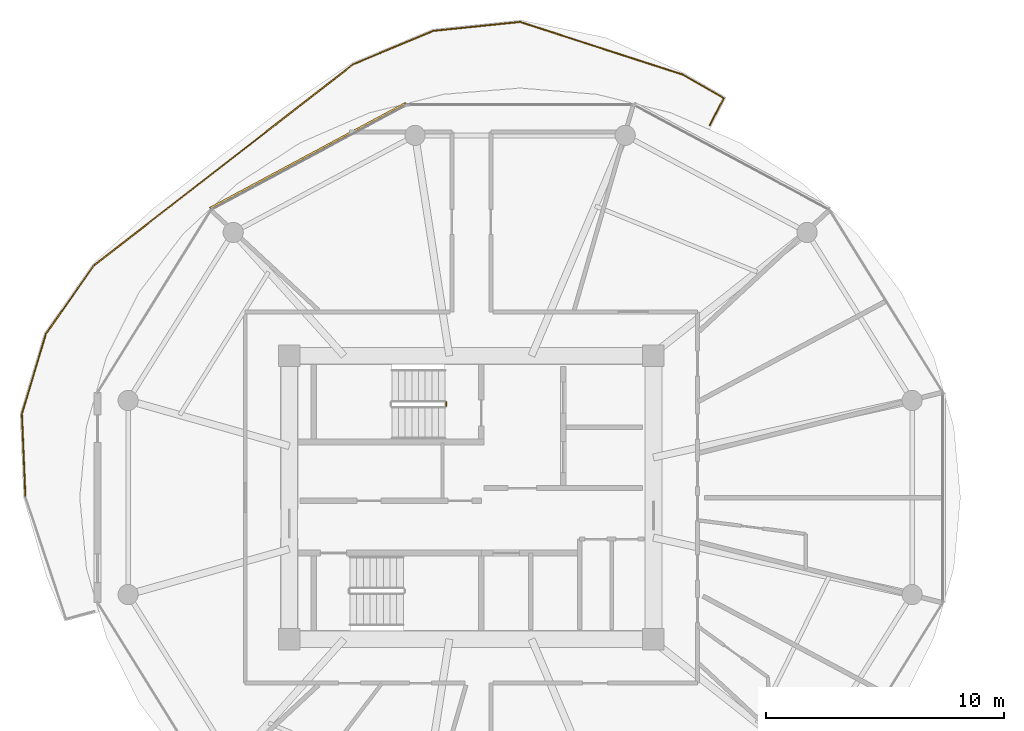
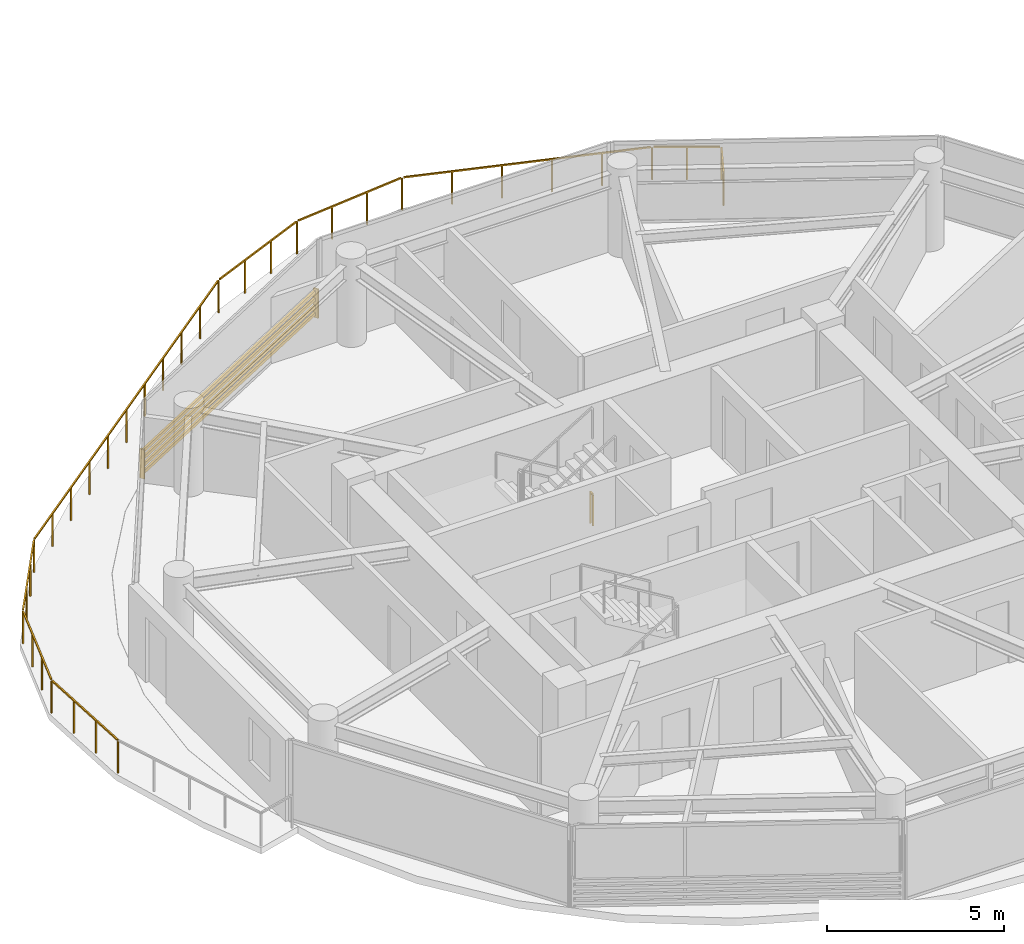
# One storey, part 21 of 24: 2 railings, 1 shading device.
"""IFC4 building model written with IfcOpenShell, lengths in metres."""

from ifc_helpers import new_model, si_unit, direction, frame, origin, origin_2d, place, context, subcontext, project, spatial, rectangle, extrude, source, transform, mapped, material, type_object, type_shapes, element, save


model = new_model("IFC4")

# Units and contexts
model_context = context("Model", 3, precision=1e-05, world=origin(), true_north=direction((0.0, 1.0)))
body_context = subcontext(model_context, "Body", "Model", "MODEL_VIEW")
ifc_project = project(units=[si_unit("LENGTHUNIT", "METRE"), si_unit("AREAUNIT", "SQUARE_METRE"), si_unit("VOLUMEUNIT", "CUBIC_METRE"), si_unit("PLANEANGLEUNIT", "RADIAN"), si_unit("MASSUNIT", "GRAM", prefix="KILO")], contexts=[model_context])

# Site, building, storey
site_placement = place(None, origin())
site = spatial("IfcSite", under=ifc_project, at=site_placement, CompositionType="ELEMENT")
building_placement = place(site_placement, origin())
building = spatial("IfcBuilding", under=site, at=building_placement, Name="Norrkilde Senior Care Towers", CompositionType="ELEMENT")
storey_placement = place(building_placement, frame((0.0, 0.0, 90.14990234375)))
storey = spatial("IfcBuildingStorey", under=building, at=storey_placement, Name="L27", CompositionType="ELEMENT", Elevation=90.14990234375)

# Railings
ifc_material_1 = material(Name="Anodised Aluminium", Category="aluminium")
railing_type_1 = type_object("IfcRailingType", Name="Balcony Swirl Ribbon Guardrail 1150", PredefinedType="GUARDRAIL", material=ifc_material_1)
railing_1_placement = place(storey_placement, frame((-46.73486328125, 0.012939453125, 0.0)))
element("IfcRailing", 1, at=railing_1_placement, inside=storey, type_object=railing_type_1, Name="L27 Perimeter Safety Guard 03", PredefinedType="GUARDRAIL", context=body_context, shape_type="SweptSolid", body=[
    extrude(rectangle(XDim=0.048095703125, YDim=0.048095703125, at=origin_2d()), frame((0.0, 0.0, 1.1259765625), z_axis=(-0.042170698388, 0.999110420423, 0.0), x_axis=(-0.999110420423, -0.042170698388, 0.0)), (0.0, 0.0, 1.0), 3.455810546875),
    extrude(rectangle(XDim=0.048095703125, YDim=0.048095703125, at=origin_2d()), frame((-0.1357421875, 3.53271484375, 1.1259765625), z_axis=(0.28614222829, 0.958187155617, 0.0), x_axis=(-0.958187155617, 0.28614222829, 0.0)), (0.0, 0.0, 1.0), 3.43017578125),
    extrude(rectangle(XDim=0.048095703125, YDim=0.048095703125, at=origin_2d()), frame((0.880859375, 6.89208984375, 1.1259765625), z_axis=(0.574885304749, 0.818234004661, 0.0), x_axis=(-0.818234004661, 0.574885304749, 0.0)), (0.0, 0.0, 1.0), 3.439697265625),
    extrude(rectangle(XDim=0.048095703125, YDim=0.048095703125, at=origin_2d()), frame((2.9140625, 9.76513671875, 1.1259765625), z_axis=(0.790129348333, 0.612940138108, 0.0), x_axis=(-0.612940138108, 0.790129348333, 0.0)), (0.0, 0.0, 1.0), 13.71044921875),
    extrude(rectangle(XDim=0.048095703125, YDim=0.048095703125, at=origin_2d()), frame((13.8173828125, 18.20947265625, 1.1259765625), z_axis=(0.923261259995, 0.384172677051, 0.0), x_axis=(-0.384172677051, 0.923261259995, 0.0)), (0.0, 0.0, 1.0), 3.560302734375),
    extrude(rectangle(XDim=0.048095703125, YDim=0.048095703125, at=origin_2d()), frame((17.182861328125, 19.59716796875, 1.1259765625), z_axis=(0.994724486365, 0.102582631209, 0.0), x_axis=(-0.102582631209, 0.994724486365, 0.0)), (0.0, 0.0, 1.0), 3.576171875),
    extrude(rectangle(XDim=0.048095703125, YDim=0.048095703125, at=origin_2d()), frame((20.819580078125, 19.95556640625, 1.1259765625), z_axis=(0.951354058203, -0.308099749985, 0.0), x_axis=(0.308099749985, 0.951354058203, 0.0)), (0.0, 0.0, 1.0), 7.12841796875),
    extrude(rectangle(XDim=0.048095703125, YDim=0.048095703125, at=origin_2d()), frame((27.675537109375, 17.726318359375, 1.1259765625), z_axis=(0.866513071664, -0.499154381564, 0.0), x_axis=(0.499154381564, 0.866513071664, 0.0)), (0.0, 0.0, 1.0), 1.878173828125),
    extrude(rectangle(XDim=0.048095703125, YDim=0.048095703125, at=origin_2d()), frame((29.319580078125, 16.732177734375, 1.1259765625), z_axis=(-0.457819136582, -0.88904535215, 0.0), x_axis=(0.88904535215, -0.457819136582, 0.0)), (0.0, 0.0, 1.0), 1.2353515625),
    extrude(rectangle(XDim=0.0419921875, YDim=0.0419921875, at=origin_2d()), origin(), (0.0, 0.0, 1.0), 1.099853515625),
    extrude(rectangle(XDim=0.0419921875, YDim=0.0419921875, at=origin_2d()), frame((-0.049072265625, 1.16455078125, 0.0)), (0.0, 0.0, 1.0), 1.099853515625),
    extrude(rectangle(XDim=0.0419921875, YDim=0.0419921875, at=origin_2d()), frame((-0.098388671875, 2.3291015625, 0.0)), (0.0, 0.0, 1.0), 1.099853515625),
    extrude(rectangle(XDim=0.0419921875, YDim=0.0419921875, at=origin_2d()), frame((-0.1474609375, 3.49365234375, 0.0)), (0.0, 0.0, 1.0), 1.099853515625),
    extrude(rectangle(XDim=0.0419921875, YDim=0.0419921875, at=origin_2d()), frame((0.1875, 4.615234375, 0.0)), (0.0, 0.0, 1.0), 1.099853515625),
    extrude(rectangle(XDim=0.0419921875, YDim=0.0419921875, at=origin_2d()), frame((0.5224609375, 5.737060546875, 0.0)), (0.0, 0.0, 1.0), 1.099853515625),
    extrude(rectangle(XDim=0.0419921875, YDim=0.0419921875, at=origin_2d()), frame((0.857421875, 6.858642578125, 0.0)), (0.0, 0.0, 1.0), 1.099853515625),
    extrude(rectangle(XDim=0.0419921875, YDim=0.0419921875, at=origin_2d()), frame((1.5322265625, 7.819091796875, 0.0)), (0.0, 0.0, 1.0), 1.099853515625),
    extrude(rectangle(XDim=0.0419921875, YDim=0.0419921875, at=origin_2d()), frame((2.20703125, 8.779541015625, 0.0)), (0.0, 0.0, 1.0), 1.099853515625),
    extrude(rectangle(XDim=0.0419921875, YDim=0.0419921875, at=origin_2d()), frame((2.8818359375, 9.739990234375, 0.0)), (0.0, 0.0, 1.0), 1.099853515625),
    extrude(rectangle(XDim=0.0419921875, YDim=0.0419921875, at=origin_2d()), frame((3.9716796875, 10.58544921875, 0.0)), (0.0, 0.0, 1.0), 1.099853515625),
    extrude(rectangle(XDim=0.0419921875, YDim=0.0419921875, at=origin_2d()), frame((5.061279296875, 11.4306640625, 0.0)), (0.0, 0.0, 1.0), 1.099853515625),
    extrude(rectangle(XDim=0.0419921875, YDim=0.0419921875, at=origin_2d()), frame((6.151123046875, 12.276123046875, 0.0)), (0.0, 0.0, 1.0), 1.099853515625),
    extrude(rectangle(XDim=0.0419921875, YDim=0.0419921875, at=origin_2d()), frame((7.240966796875, 13.12158203125, 0.0)), (0.0, 0.0, 1.0), 1.099853515625),
    extrude(rectangle(XDim=0.0419921875, YDim=0.0419921875, at=origin_2d()), frame((8.33056640625, 13.966796875, 0.0)), (0.0, 0.0, 1.0), 1.099853515625),
    extrude(rectangle(XDim=0.0419921875, YDim=0.0419921875, at=origin_2d()), frame((9.42041015625, 14.812255859375, 0.0)), (0.0, 0.0, 1.0), 1.099853515625),
    extrude(rectangle(XDim=0.0419921875, YDim=0.0419921875, at=origin_2d()), frame((10.51025390625, 15.65771484375, 0.0)), (0.0, 0.0, 1.0), 1.099853515625),
    extrude(rectangle(XDim=0.0419921875, YDim=0.0419921875, at=origin_2d()), frame((11.60009765625, 16.503173828125, 0.0)), (0.0, 0.0, 1.0), 1.099853515625),
    extrude(rectangle(XDim=0.0419921875, YDim=0.0419921875, at=origin_2d()), frame((12.689697265625, 17.348388671875, 0.0)), (0.0, 0.0, 1.0), 1.099853515625),
    extrude(rectangle(XDim=0.0419921875, YDim=0.0419921875, at=origin_2d()), frame((13.779541015625, 18.19384765625, 0.0)), (0.0, 0.0, 1.0), 1.099853515625),
    extrude(rectangle(XDim=0.0419921875, YDim=0.0419921875, at=origin_2d()), frame((14.900390625, 18.66015625, 0.0)), (0.0, 0.0, 1.0), 1.099853515625),
    extrude(rectangle(XDim=0.0419921875, YDim=0.0419921875, at=origin_2d()), frame((16.021240234375, 19.126708984375, 0.0)), (0.0, 0.0, 1.0), 1.099853515625),
    extrude(rectangle(XDim=0.0419921875, YDim=0.0419921875, at=origin_2d()), frame((17.14208984375, 19.593017578125, 0.0)), (0.0, 0.0, 1.0), 1.099853515625),
    extrude(rectangle(XDim=0.0419921875, YDim=0.0419921875, at=origin_2d()), frame((18.35498046875, 19.718017578125, 0.0)), (0.0, 0.0, 1.0), 1.099853515625),
    extrude(rectangle(XDim=0.0419921875, YDim=0.0419921875, at=origin_2d()), frame((19.56787109375, 19.84326171875, 0.0)), (0.0, 0.0, 1.0), 1.099853515625),
    extrude(rectangle(XDim=0.0419921875, YDim=0.0419921875, at=origin_2d()), frame((20.78076171875, 19.96826171875, 0.0)), (0.0, 0.0, 1.0), 1.099853515625),
    extrude(rectangle(XDim=0.0419921875, YDim=0.0419921875, at=origin_2d()), frame((22.152587890625, 19.52392578125, 0.0)), (0.0, 0.0, 1.0), 1.099853515625),
    extrude(rectangle(XDim=0.0419921875, YDim=0.0419921875, at=origin_2d()), frame((23.5244140625, 19.07958984375, 0.0)), (0.0, 0.0, 1.0), 1.099853515625),
    extrude(rectangle(XDim=0.0419921875, YDim=0.0419921875, at=origin_2d()), frame((24.896484375, 18.635498046875, 0.0)), (0.0, 0.0, 1.0), 1.099853515625),
    extrude(rectangle(XDim=0.0419921875, YDim=0.0419921875, at=origin_2d()), frame((26.268310546875, 18.191162109375, 0.0)), (0.0, 0.0, 1.0), 1.099853515625),
    extrude(rectangle(XDim=0.0419921875, YDim=0.0419921875, at=origin_2d()), frame((27.64013671875, 17.746826171875, 0.0)), (0.0, 0.0, 1.0), 1.099853515625),
    extrude(rectangle(XDim=0.0419921875, YDim=0.0419921875, at=origin_2d()), frame((28.4892578125, 17.2578125, 0.0)), (0.0, 0.0, 1.0), 1.099853515625),
    extrude(rectangle(XDim=0.0419921875, YDim=0.0419921875, at=origin_2d()), frame((29.33837890625, 16.7685546875, 0.0)), (0.0, 0.0, 1.0), 1.099853515625),
    extrude(rectangle(XDim=0.0419921875, YDim=0.0419921875, at=origin_2d()), frame((28.754150390625, 15.634033203125, 0.0)), (0.0, 0.0, 1.0), 1.099853515625),
])
ifc_material_2 = material(Name="Stainless Steel", Category="steel")
railing_type_2 = type_object("IfcRailingType", Name="Stair and Terrace Guardrail 1100", PredefinedType="GUARDRAIL", material=ifc_material_2)
railing_2_placement = place(storey_placement, frame((-29.050048828125, 4.0, 0.0)))
element("IfcRailing", 2, at=railing_2_placement, inside=storey, type_object=railing_type_2, Name="L27 ST-W1 stair guard 4", PredefinedType="GUARDRAIL", context=body_context, shape_type="SweptSolid", body=[
    extrude(rectangle(XDim=0.048095703125, YDim=0.048095703125, at=origin_2d()), frame((0.0, 0.0, 1.076171875), z_axis=(0.0, -1.0, 0.0), x_axis=(1.0, 0.0, 0.0)), (0.0, 0.0, 1.0), 0.14990234375),
    extrude(rectangle(XDim=0.0419921875, YDim=0.0419921875, at=origin_2d()), origin(), (0.0, 0.0, 1.0), 1.050048828125),
    extrude(rectangle(XDim=0.0419921875, YDim=0.0419921875, at=origin_2d()), frame((0.0, -0.14990234375, 0.0)), (0.0, 0.0, 1.0), 1.050048828125),
])

# Shading device
ifc_material_3 = material(Name="Architectural Terracotta", Category="masonry")
shading_device_type = type_object("IfcShadingDeviceType", Name="Horizontal Terracotta Baguette Rack", PredefinedType="USERDEFINED", material=ifc_material_3)
shared_shape = source(origin(), body_context, "Body", "SweptSolid", [
    extrude(rectangle(XDim=0.070068359375, YDim=0.110107421875, at=origin_2d()), frame((0.0, 0.090087890625, 0.125), z_axis=(1.0, 0.0, 0.0), x_axis=(0.0, 1.0, 0.0)), (0.0, 0.0, 1.0), 9.3505859375),
    extrude(rectangle(XDim=0.070068359375, YDim=0.110107421875, at=origin_2d()), frame((0.0, 0.090087890625, 0.375), z_axis=(1.0, 0.0, 0.0), x_axis=(0.0, 1.0, 0.0)), (0.0, 0.0, 1.0), 9.3505859375),
    extrude(rectangle(XDim=0.070068359375, YDim=0.110107421875, at=origin_2d()), frame((0.0, 0.090087890625, 0.625), z_axis=(1.0, 0.0, 0.0), x_axis=(0.0, 1.0, 0.0)), (0.0, 0.0, 1.0), 9.3505859375),
    extrude(rectangle(XDim=0.070068359375, YDim=0.110107421875, at=origin_2d()), frame((0.0, 0.090087890625, 0.875), z_axis=(1.0, 0.0, 0.0), x_axis=(0.0, 1.0, 0.0)), (0.0, 0.0, 1.0), 9.3505859375),
    extrude(rectangle(XDim=0.050048828125, YDim=0.1552734375, at=origin_2d()), frame((0.02490234375, 0.047607421875, 0.0)), (0.0, 0.0, 1.0), 1.0),
    extrude(rectangle(XDim=0.050048828125, YDim=0.1552734375, at=origin_2d()), frame((9.32568359375, 0.047607421875, 0.0)), (0.0, 0.0, 1.0), 1.0),
])
type_shapes(shading_device_type, [shared_shape])
shading_device_placement = place(storey_placement, frame((-38.946533203125, 12.077392578125, 0.080078125), z_axis=(0.0, 0.0, 1.0), x_axis=(0.881174934726, 0.472767624021, 0.0)))
element("IfcShadingDevice", 3, at=shading_device_placement, inside=storey, type_object=shading_device_type, Name="L27 Drum W Terracotta Baguette Screen 03", ObjectType="BAGUETTE", PredefinedType="USERDEFINED", context=body_context, shape_type="MappedRepresentation", body=[
    mapped(shared_shape, transform((0.0, 0.0, 0.0), x_axis=(1.0, 0.0, 0.0), y_axis=(0.0, 1.0, 0.0), z_axis=(0.0, 0.0, 1.0), scale=1.0)),
])

save(model, "model.ifc")
